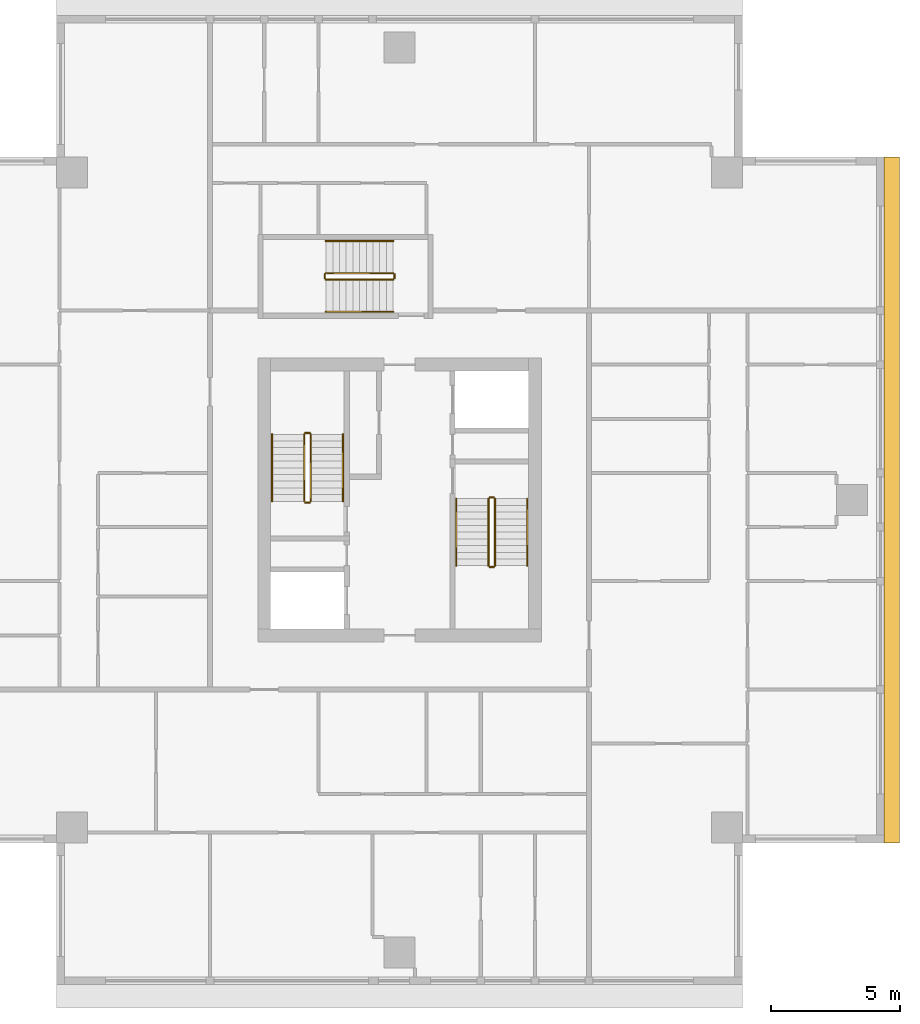
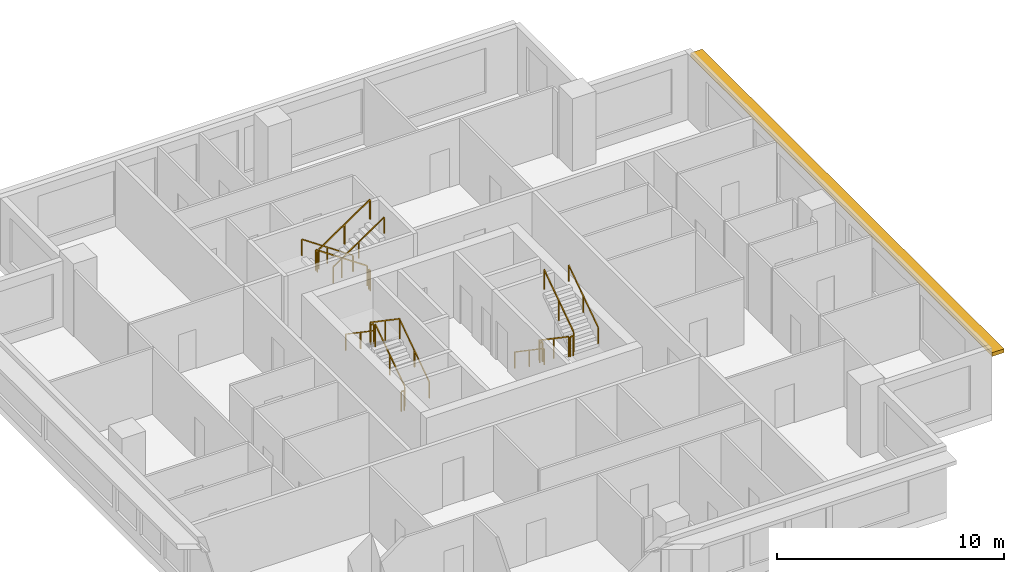
# One storey, part 7 of 8: 18 railings, 1 shading device.
"""IFC4 building model written with IfcOpenShell, lengths in metres."""

from ifc_helpers import new_model, si_unit, direction, frame, origin, origin_2d, place, context, subcontext, project, spatial, polyline, rectangle, outline, extrude, material, layer, layer_set, type_object, element, save


model = new_model("IFC4")

# Units and contexts
model_context = context("Model", 3, precision=1e-05, world=origin(), true_north=direction((0.0, 1.0)))
body_context = subcontext(model_context, "Body", "Model", "MODEL_VIEW")
ifc_project = project(units=[si_unit("LENGTHUNIT", "METRE"), si_unit("AREAUNIT", "SQUARE_METRE"), si_unit("VOLUMEUNIT", "CUBIC_METRE"), si_unit("PLANEANGLEUNIT", "RADIAN"), si_unit("MASSUNIT", "GRAM", prefix="KILO")], contexts=[model_context])

# Site, building, storey
site_placement = place(None, origin())
site = spatial("IfcSite", under=ifc_project, at=site_placement, CompositionType="ELEMENT")
building_placement = place(site_placement, origin())
building = spatial("IfcBuilding", under=site, at=building_placement, Name="Khepri Terraces", CompositionType="ELEMENT")
storey_placement = place(building_placement, frame((0.0, 0.0, 304.5)))
storey = spatial("IfcBuildingStorey", under=building, at=storey_placement, Name="L73", CompositionType="ELEMENT", Elevation=304.5)

# Railings
ifc_material_1 = material(Name="Stainless steel 316", Category="steel")
railing_type_1 = type_object("IfcRailingType", Name="RL-CORE-GUARD", PredefinedType="GUARDRAIL", material=ifc_material_1)
railing_1_placement = place(storey_placement, frame((-3.449951171875, -0.050048828125, 0.17724609375)))
element("IfcRailing", 1, at=railing_1_placement, inside=storey, type_object=railing_type_1, Name="L73 ST-1 stair guard 1", PredefinedType="GUARDRAIL", context=body_context, shape_type="SweptSolid", body=[
    extrude(rectangle(XDim=0.050048828125, YDim=0.06005859375, at=origin_2d()), frame((0.0, 0.0, 1.070068359375), z_axis=(0.0, 0.826240473404, 0.563317565952), x_axis=(-1.0, 0.0, 0.0)), (0.0, 0.0, 1.0), 3.14697265625),
    extrude(rectangle(XDim=0.050048828125, YDim=0.050048828125, at=origin_2d()), origin(), (0.0, 0.0, 1.0), 1.0400390625),
    extrude(rectangle(XDim=0.050048828125, YDim=0.050048828125, at=origin_2d()), frame((0.0, 1.300048828125, 0.88623046875)), (0.0, 0.0, 1.0), 1.0400390625),
    extrude(rectangle(XDim=0.050048828125, YDim=0.050048828125, at=origin_2d()), frame((0.0, 2.60009765625, 1.772705078125)), (0.0, 0.0, 1.0), 1.0400390625),
])
railing_2_placement = place(storey_placement, frame((-3.5, 2.60009765625, 1.949951171875)))
element("IfcRailing", 2, at=railing_2_placement, inside=storey, type_object=railing_type_1, Name="L73 ST-1 stair guard 2", PredefinedType="GUARDRAIL", context=body_context, shape_type="SweptSolid", body=[
    extrude(rectangle(XDim=0.050048828125, YDim=0.06005859375, at=origin_2d()), frame((0.0, 0.0, 1.070068359375), z_axis=(-1.0, 0.0, 0.0), x_axis=(0.0, -1.0, 0.0)), (0.0, 0.0, 1.0), 0.14990234375),
    extrude(rectangle(XDim=0.050048828125, YDim=0.050048828125, at=origin_2d()), origin(), (0.0, 0.0, 1.0), 1.0400390625),
    extrude(rectangle(XDim=0.050048828125, YDim=0.050048828125, at=origin_2d()), frame((-0.14990234375, 0.0, 0.0)), (0.0, 0.0, 1.0), 1.0400390625),
])
railing_3_placement = place(storey_placement, frame((-3.699951171875, 2.550048828125, 2.127197265625)))
element("IfcRailing", 3, at=railing_3_placement, inside=storey, type_object=railing_type_1, Name="L73 ST-1 stair guard 3", PredefinedType="GUARDRAIL", context=body_context, shape_type="SweptSolid", body=[
    extrude(rectangle(XDim=0.050048828125, YDim=0.06005859375, at=origin_2d()), frame((0.0, 0.0, 1.070068359375), z_axis=(0.0, -0.826240473404, 0.563317565952), x_axis=(1.0, 0.0, 0.0)), (0.0, 0.0, 1.0), 3.14697265625),
    extrude(rectangle(XDim=0.050048828125, YDim=0.050048828125, at=origin_2d()), origin(), (0.0, 0.0, 1.0), 1.0400390625),
    extrude(rectangle(XDim=0.050048828125, YDim=0.050048828125, at=origin_2d()), frame((0.0, -1.300048828125, 0.88623046875)), (0.0, 0.0, 1.0), 1.0400390625),
    extrude(rectangle(XDim=0.050048828125, YDim=0.050048828125, at=origin_2d()), frame((0.0, -2.60009765625, 1.772705078125)), (0.0, 0.0, 1.0), 1.0400390625),
])
railing_4_placement = place(storey_placement, frame((-3.5, -0.10009765625, 0.0)))
element("IfcRailing", 4, at=railing_4_placement, inside=storey, type_object=railing_type_1, Name="L73 ST-1 stair guard 4", PredefinedType="GUARDRAIL", context=body_context, shape_type="SweptSolid", body=[
    extrude(rectangle(XDim=0.050048828125, YDim=0.06005859375, at=origin_2d()), frame((0.0, 0.0, 1.070068359375), z_axis=(-1.0, 0.0, 0.0), x_axis=(0.0, -1.0, 0.0)), (0.0, 0.0, 1.0), 0.14990234375),
    extrude(rectangle(XDim=0.050048828125, YDim=0.050048828125, at=origin_2d()), origin(), (0.0, 0.0, 1.0), 1.0400390625),
    extrude(rectangle(XDim=0.050048828125, YDim=0.050048828125, at=origin_2d()), frame((-0.14990234375, 0.0, 0.0)), (0.0, 0.0, 1.0), 1.0400390625),
])
railing_5_placement = place(storey_placement, frame((3.449951171875, 0.050048828125, 0.17724609375)))
element("IfcRailing", 5, at=railing_5_placement, inside=storey, type_object=railing_type_1, Name="L73 ST-2 stair guard 1", PredefinedType="GUARDRAIL", context=body_context, shape_type="SweptSolid", body=[
    extrude(rectangle(XDim=0.050048828125, YDim=0.06005859375, at=origin_2d()), frame((0.0, 0.0, 1.070068359375), z_axis=(0.0, -0.826240473404, 0.563317565952), x_axis=(1.0, 0.0, 0.0)), (0.0, 0.0, 1.0), 3.14697265625),
    extrude(rectangle(XDim=0.050048828125, YDim=0.050048828125, at=origin_2d()), origin(), (0.0, 0.0, 1.0), 1.0400390625),
    extrude(rectangle(XDim=0.050048828125, YDim=0.050048828125, at=origin_2d()), frame((0.0, -1.300048828125, 0.88623046875)), (0.0, 0.0, 1.0), 1.0400390625),
    extrude(rectangle(XDim=0.050048828125, YDim=0.050048828125, at=origin_2d()), frame((0.0, -2.60009765625, 1.772705078125)), (0.0, 0.0, 1.0), 1.0400390625),
])
railing_6_placement = place(storey_placement, frame((3.5, -2.60009765625, 1.949951171875)))
element("IfcRailing", 6, at=railing_6_placement, inside=storey, type_object=railing_type_1, Name="L73 ST-2 stair guard 2", PredefinedType="GUARDRAIL", context=body_context, shape_type="SweptSolid", body=[
    extrude(rectangle(XDim=0.050048828125, YDim=0.06005859375, at=origin_2d()), frame((0.0, 0.0, 1.070068359375), z_axis=(1.0, 0.0, 0.0), x_axis=(0.0, 1.0, 0.0)), (0.0, 0.0, 1.0), 0.14990234375),
    extrude(rectangle(XDim=0.050048828125, YDim=0.050048828125, at=origin_2d()), origin(), (0.0, 0.0, 1.0), 1.0400390625),
    extrude(rectangle(XDim=0.050048828125, YDim=0.050048828125, at=origin_2d()), frame((0.14990234375, 0.0, 0.0)), (0.0, 0.0, 1.0), 1.0400390625),
])
railing_7_placement = place(storey_placement, frame((3.699951171875, -2.550048828125, 2.127197265625)))
element("IfcRailing", 7, at=railing_7_placement, inside=storey, type_object=railing_type_1, Name="L73 ST-2 stair guard 3", PredefinedType="GUARDRAIL", context=body_context, shape_type="SweptSolid", body=[
    extrude(rectangle(XDim=0.050048828125, YDim=0.06005859375, at=origin_2d()), frame((0.0, 0.0, 1.070068359375), z_axis=(0.0, 0.826240473404, 0.563317565952), x_axis=(-1.0, 0.0, 0.0)), (0.0, 0.0, 1.0), 3.14697265625),
    extrude(rectangle(XDim=0.050048828125, YDim=0.050048828125, at=origin_2d()), origin(), (0.0, 0.0, 1.0), 1.0400390625),
    extrude(rectangle(XDim=0.050048828125, YDim=0.050048828125, at=origin_2d()), frame((0.0, 1.300048828125, 0.88623046875)), (0.0, 0.0, 1.0), 1.0400390625),
    extrude(rectangle(XDim=0.050048828125, YDim=0.050048828125, at=origin_2d()), frame((0.0, 2.60009765625, 1.772705078125)), (0.0, 0.0, 1.0), 1.0400390625),
])
railing_8_placement = place(storey_placement, frame((3.5, 0.10009765625, 0.0)))
element("IfcRailing", 8, at=railing_8_placement, inside=storey, type_object=railing_type_1, Name="L73 ST-2 stair guard 4", PredefinedType="GUARDRAIL", context=body_context, shape_type="SweptSolid", body=[
    extrude(rectangle(XDim=0.050048828125, YDim=0.06005859375, at=origin_2d()), frame((0.0, 0.0, 1.070068359375), z_axis=(1.0, 0.0, 0.0), x_axis=(0.0, 1.0, 0.0)), (0.0, 0.0, 1.0), 0.14990234375),
    extrude(rectangle(XDim=0.050048828125, YDim=0.050048828125, at=origin_2d()), origin(), (0.0, 0.0, 1.0), 1.0400390625),
    extrude(rectangle(XDim=0.050048828125, YDim=0.050048828125, at=origin_2d()), frame((0.14990234375, 0.0, 0.0)), (0.0, 0.0, 1.0), 1.0400390625),
])
railing_9_placement = place(storey_placement, frame((-0.25, 8.800048828125, 0.17724609375)))
element("IfcRailing", 9, at=railing_9_placement, inside=storey, type_object=railing_type_1, Name="L73 ST-3 stair guard 1", PredefinedType="GUARDRAIL", context=body_context, shape_type="SweptSolid", body=[
    extrude(rectangle(XDim=0.050048828125, YDim=0.06005859375, at=origin_2d()), frame((0.0, 0.0, 1.070068359375), z_axis=(-0.826240473404, 0.0, 0.563317565952), x_axis=(0.0, -1.0, 0.0)), (0.0, 0.0, 1.0), 3.14697265625),
    extrude(rectangle(XDim=0.050048828125, YDim=0.050048828125, at=origin_2d()), origin(), (0.0, 0.0, 1.0), 1.0400390625),
    extrude(rectangle(XDim=0.050048828125, YDim=0.050048828125, at=origin_2d()), frame((-1.300048828125, 0.0, 0.88623046875)), (0.0, 0.0, 1.0), 1.0400390625),
    extrude(rectangle(XDim=0.050048828125, YDim=0.050048828125, at=origin_2d()), frame((-2.60009765625, 0.0, 1.772705078125)), (0.0, 0.0, 1.0), 1.0400390625),
])
railing_10_placement = place(storey_placement, frame((-2.89990234375, 8.75, 1.949951171875)))
element("IfcRailing", 10, at=railing_10_placement, inside=storey, type_object=railing_type_1, Name="L73 ST-3 stair guard 2", PredefinedType="GUARDRAIL", context=body_context, shape_type="SweptSolid", body=[
    extrude(rectangle(XDim=0.050048828125, YDim=0.06005859375, at=origin_2d()), frame((0.0, 0.0, 1.070068359375), z_axis=(0.0, -1.0, 0.0), x_axis=(1.0, 0.0, 0.0)), (0.0, 0.0, 1.0), 0.14990234375),
    extrude(rectangle(XDim=0.050048828125, YDim=0.050048828125, at=origin_2d()), origin(), (0.0, 0.0, 1.0), 1.0400390625),
    extrude(rectangle(XDim=0.050048828125, YDim=0.050048828125, at=origin_2d()), frame((0.0, -0.14990234375, 0.0)), (0.0, 0.0, 1.0), 1.0400390625),
])
railing_11_placement = place(storey_placement, frame((-2.85009765625, 8.550048828125, 2.127197265625)))
element("IfcRailing", 11, at=railing_11_placement, inside=storey, type_object=railing_type_1, Name="L73 ST-3 stair guard 3", PredefinedType="GUARDRAIL", context=body_context, shape_type="SweptSolid", body=[
    extrude(rectangle(XDim=0.050048828125, YDim=0.06005859375, at=origin_2d()), frame((0.0, 0.0, 1.070068359375), z_axis=(0.826240473404, 0.0, 0.563317565952), x_axis=(0.0, 1.0, 0.0)), (0.0, 0.0, 1.0), 3.14697265625),
    extrude(rectangle(XDim=0.050048828125, YDim=0.050048828125, at=origin_2d()), origin(), (0.0, 0.0, 1.0), 1.0400390625),
    extrude(rectangle(XDim=0.050048828125, YDim=0.050048828125, at=origin_2d()), frame((1.300048828125, 0.0, 0.88623046875)), (0.0, 0.0, 1.0), 1.0400390625),
    extrude(rectangle(XDim=0.050048828125, YDim=0.050048828125, at=origin_2d()), frame((2.60009765625, 0.0, 1.772705078125)), (0.0, 0.0, 1.0), 1.0400390625),
])
railing_12_placement = place(storey_placement, frame((-0.199951171875, 8.75, 0.0)))
element("IfcRailing", 12, at=railing_12_placement, inside=storey, type_object=railing_type_1, Name="L73 ST-3 stair guard 4", PredefinedType="GUARDRAIL", context=body_context, shape_type="SweptSolid", body=[
    extrude(rectangle(XDim=0.050048828125, YDim=0.06005859375, at=origin_2d()), frame((0.0, 0.0, 1.070068359375), z_axis=(0.0, -1.0, 0.0), x_axis=(1.0, 0.0, 0.0)), (0.0, 0.0, 1.0), 0.14990234375),
    extrude(rectangle(XDim=0.050048828125, YDim=0.050048828125, at=origin_2d()), origin(), (0.0, 0.0, 1.0), 1.0400390625),
    extrude(rectangle(XDim=0.050048828125, YDim=0.050048828125, at=origin_2d()), frame((0.0, -0.14990234375, 0.0)), (0.0, 0.0, 1.0), 1.0400390625),
])
railing_type_2 = type_object("IfcRailingType", Name="RL-CORE-HANDRAIL", PredefinedType="HANDRAIL", material=ifc_material_1)
railing_13_placement = place(storey_placement, frame((-2.199951171875, -0.050048828125, 0.17724609375)))
element("IfcRailing", 13, at=railing_13_placement, inside=storey, type_object=railing_type_2, Name="L73 ST-1 stair handrail 1", PredefinedType="HANDRAIL", context=body_context, shape_type="SweptSolid", body=[
    extrude(rectangle(XDim=0.050048828125, YDim=0.050048828125, at=origin_2d()), frame((0.0, 0.0, 0.875), z_axis=(0.0, 0.826240473404, 0.563317565952), x_axis=(-1.0, 0.0, 0.0)), (0.0, 0.0, 1.0), 3.14697265625),
    extrude(rectangle(XDim=0.050048828125, YDim=0.050048828125, at=origin_2d()), origin(), (0.0, 0.0, 1.0), 0.849853515625),
    extrude(rectangle(XDim=0.050048828125, YDim=0.050048828125, at=origin_2d()), frame((0.0, 1.300048828125, 0.88623046875)), (0.0, 0.0, 1.0), 0.849853515625),
    extrude(rectangle(XDim=0.050048828125, YDim=0.050048828125, at=origin_2d()), frame((0.0, 2.60009765625, 1.772705078125)), (0.0, 0.0, 1.0), 0.849853515625),
])
for number, where, name in (
    (14, (-4.949951171875, 2.550048828125, 2.127197265625), "L73 ST-1 stair handrail 2"),
    (15, (2.199951171875, 0.050048828125, 0.17724609375), "L73 ST-2 stair handrail 1"),
):
    element("IfcRailing", number, at=place(storey_placement, frame(where)), inside=storey, type_object=railing_type_2, Name=name, PredefinedType="HANDRAIL", context=body_context, shape_type="SweptSolid", body=[
        extrude(rectangle(XDim=0.050048828125, YDim=0.050048828125, at=origin_2d()), frame((0.0, 0.0, 0.875), z_axis=(0.0, -0.826240473404, 0.563317565952), x_axis=(1.0, 0.0, 0.0)), (0.0, 0.0, 1.0), 3.14697265625),
        extrude(rectangle(XDim=0.050048828125, YDim=0.050048828125, at=origin_2d()), origin(), (0.0, 0.0, 1.0), 0.849853515625),
        extrude(rectangle(XDim=0.050048828125, YDim=0.050048828125, at=origin_2d()), frame((0.0, -1.300048828125, 0.88623046875)), (0.0, 0.0, 1.0), 0.849853515625),
        extrude(rectangle(XDim=0.050048828125, YDim=0.050048828125, at=origin_2d()), frame((0.0, -2.60009765625, 1.772705078125)), (0.0, 0.0, 1.0), 0.849853515625),
    ])
railing_14_placement = place(storey_placement, frame((4.949951171875, -2.550048828125, 2.127197265625)))
element("IfcRailing", 16, at=railing_14_placement, inside=storey, type_object=railing_type_2, Name="L73 ST-2 stair handrail 2", PredefinedType="HANDRAIL", context=body_context, shape_type="SweptSolid", body=[
    extrude(rectangle(XDim=0.050048828125, YDim=0.050048828125, at=origin_2d()), frame((0.0, 0.0, 0.875), z_axis=(0.0, 0.826240473404, 0.563317565952), x_axis=(-1.0, 0.0, 0.0)), (0.0, 0.0, 1.0), 3.14697265625),
    extrude(rectangle(XDim=0.050048828125, YDim=0.050048828125, at=origin_2d()), origin(), (0.0, 0.0, 1.0), 0.849853515625),
    extrude(rectangle(XDim=0.050048828125, YDim=0.050048828125, at=origin_2d()), frame((0.0, 1.300048828125, 0.88623046875)), (0.0, 0.0, 1.0), 0.849853515625),
    extrude(rectangle(XDim=0.050048828125, YDim=0.050048828125, at=origin_2d()), frame((0.0, 2.60009765625, 1.772705078125)), (0.0, 0.0, 1.0), 0.849853515625),
])
railing_15_placement = place(storey_placement, frame((-0.25, 10.050048828125, 0.17724609375)))
element("IfcRailing", 17, at=railing_15_placement, inside=storey, type_object=railing_type_2, Name="L73 ST-3 stair handrail 1", PredefinedType="HANDRAIL", context=body_context, shape_type="SweptSolid", body=[
    extrude(rectangle(XDim=0.050048828125, YDim=0.050048828125, at=origin_2d()), frame((0.0, 0.0, 0.875), z_axis=(-0.826240473404, 0.0, 0.563317565952), x_axis=(0.0, -1.0, 0.0)), (0.0, 0.0, 1.0), 3.14697265625),
    extrude(rectangle(XDim=0.050048828125, YDim=0.050048828125, at=origin_2d()), origin(), (0.0, 0.0, 1.0), 0.849853515625),
    extrude(rectangle(XDim=0.050048828125, YDim=0.050048828125, at=origin_2d()), frame((-1.300048828125, 0.0, 0.88623046875)), (0.0, 0.0, 1.0), 0.849853515625),
    extrude(rectangle(XDim=0.050048828125, YDim=0.050048828125, at=origin_2d()), frame((-2.60009765625, 0.0, 1.772705078125)), (0.0, 0.0, 1.0), 0.849853515625),
])
railing_16_placement = place(storey_placement, frame((-2.85009765625, 7.300048828125, 2.127197265625)))
element("IfcRailing", 18, at=railing_16_placement, inside=storey, type_object=railing_type_2, Name="L73 ST-3 stair handrail 2", PredefinedType="HANDRAIL", context=body_context, shape_type="SweptSolid", body=[
    extrude(rectangle(XDim=0.050048828125, YDim=0.050048828125, at=origin_2d()), frame((0.0, 0.0, 0.875), z_axis=(0.826240473404, 0.0, 0.563317565952), x_axis=(0.0, 1.0, 0.0)), (0.0, 0.0, 1.0), 3.14697265625),
    extrude(rectangle(XDim=0.050048828125, YDim=0.050048828125, at=origin_2d()), origin(), (0.0, 0.0, 1.0), 0.849853515625),
    extrude(rectangle(XDim=0.050048828125, YDim=0.050048828125, at=origin_2d()), frame((1.300048828125, 0.0, 0.88623046875)), (0.0, 0.0, 1.0), 0.849853515625),
    extrude(rectangle(XDim=0.050048828125, YDim=0.050048828125, at=origin_2d()), frame((2.60009765625, 0.0, 1.772705078125)), (0.0, 0.0, 1.0), 0.849853515625),
])

# Shading device
ifc_material_2 = material(Name="Precast concrete C50/60 warm stone", Category="masonry")
ifc_layer = layer(ifc_material_2, 0.199951171875, Name="Precast concrete C50/60 warm stone", Category="masonry")
ifc_layer_set = layer_set([ifc_layer], Name="Precast concrete C50/60 warm stone")
shading_device_type = type_object("IfcShadingDeviceType", Name="SSH-BAND-STONE-200-N", PredefinedType="USERDEFINED", material=ifc_layer_set)
shading_device_placement = place(storey_placement, frame((0.0, 0.0, 3.10009765625)))
element("IfcShadingDevice", 19, at=shading_device_placement, inside=storey, type_object=shading_device_type, Name="Sunshade band L73 E", ObjectType="SUNSHADE", PredefinedType="USERDEFINED", context=body_context, shape_type="SweptSolid", body=[
    extrude(outline(polyline([(18.800048828125, 13.300048828125), (18.800048828125, -13.300048828125), (19.39990234375, -13.300048828125), (19.39990234375, 13.300048828125), (18.800048828125, 13.300048828125)])), origin(), (0.0, 0.0, 1.0), 0.199951171875),
])

save(model, "model.ifc")
